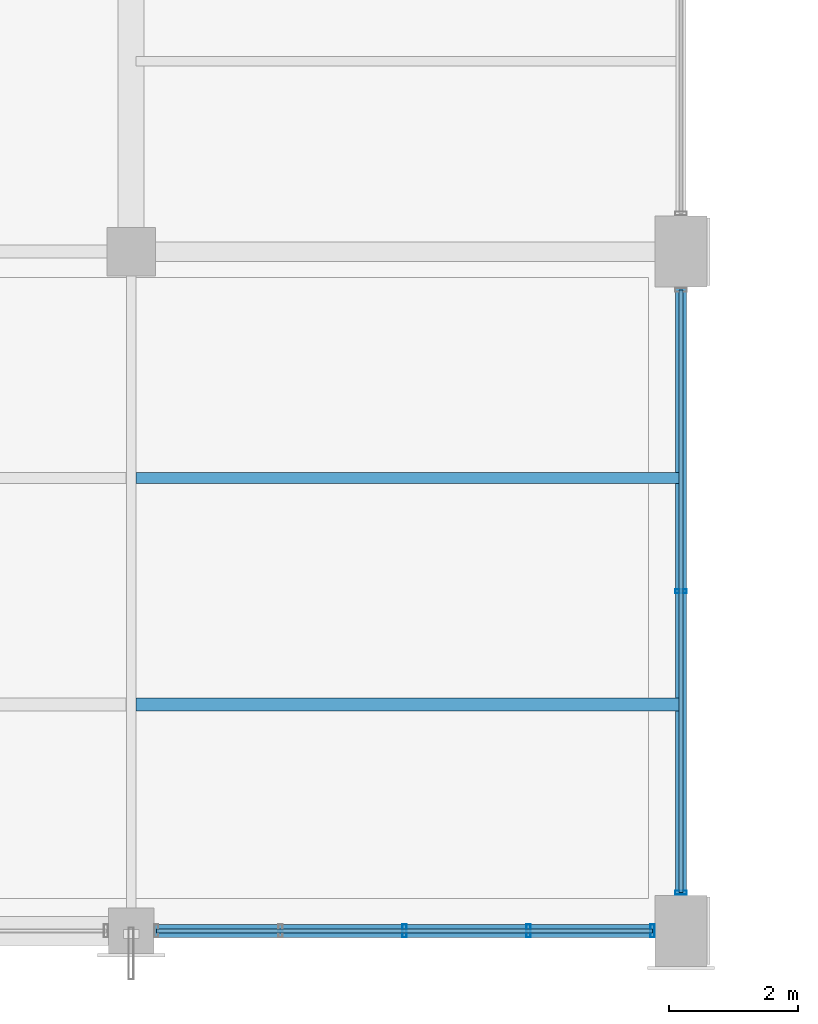
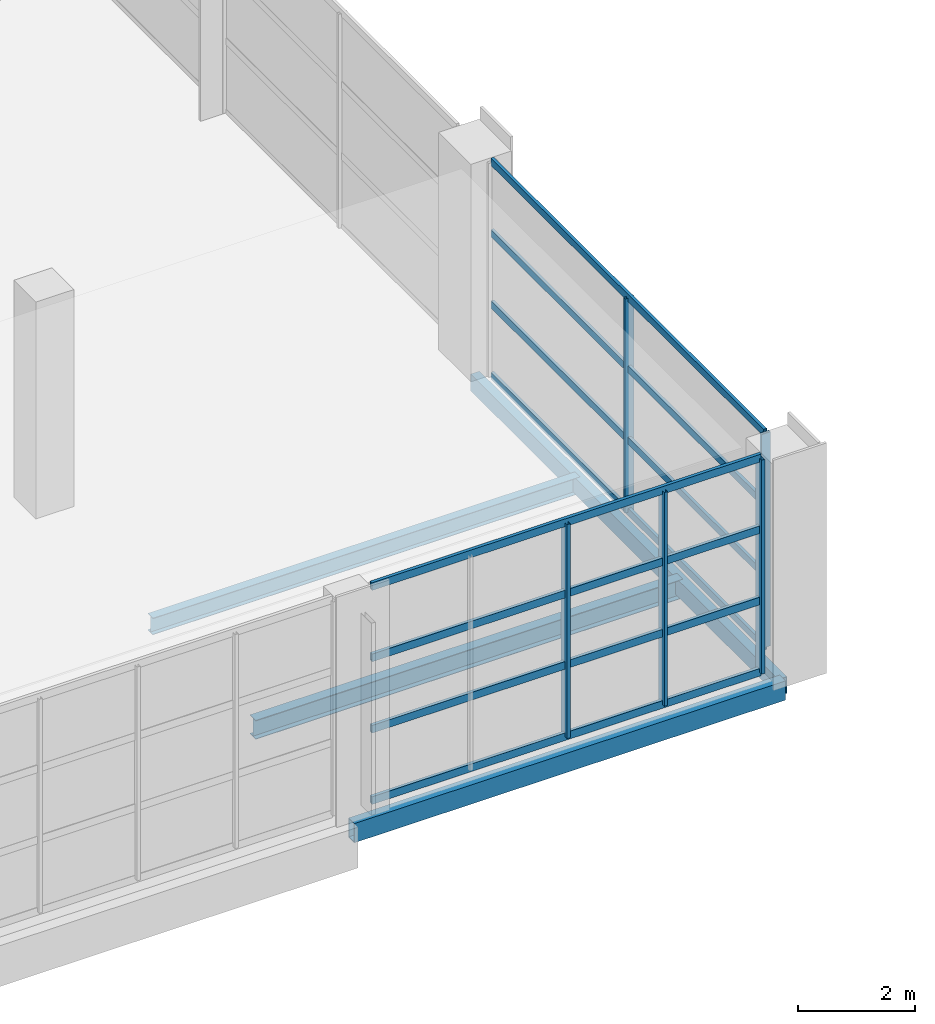
# One storey, part 23 of 101: 13 members, 4 beams, 2 elements without a shape of their own.
"""IFC4 building model written with IfcOpenShell, lengths in metres."""

from ifc_helpers import new_model, si_unit, direction, frame, origin, origin_2d, place, context, subcontext, project, spatial, hollow_rectangle, i_section, extrude, material, material_profile, profile_set, type_object, element, aggregate, save


model = new_model("IFC4")

# Units and contexts
model_context = context("Model", 3, precision=1e-05, world=origin(), true_north=direction((0.0, 1.0)))
body_context = subcontext(model_context, "Body", "Model", "MODEL_VIEW")
ifc_project = project(units=[si_unit("LENGTHUNIT", "METRE"), si_unit("AREAUNIT", "SQUARE_METRE"), si_unit("VOLUMEUNIT", "CUBIC_METRE"), si_unit("PLANEANGLEUNIT", "RADIAN"), si_unit("MASSUNIT", "GRAM", prefix="KILO")], contexts=[model_context])

# Site, building, storey
site_placement = place(None, origin())
site = spatial("IfcSite", under=ifc_project, at=site_placement, CompositionType="ELEMENT")
building_placement = place(site_placement, origin())
building = spatial("IfcBuilding", under=site, at=building_placement, Name="Solvikara Media Centre", CompositionType="ELEMENT")
storey_placement = place(building_placement, frame((0.0, 0.0, 10.199951171875)))
storey = spatial("IfcBuildingStorey", under=building, at=storey_placement, Name="L02", CompositionType="ELEMENT", Elevation=10.199951171875)

# Beams
ifc_material_1 = material(Name="Steel S355JR", Category="steel")
ifc_material_profile_1 = material_profile(ifc_material_1, hollow_rectangle(XDim=0.199951171875, YDim=0.39990234375, WallThickness=0.011962890625, at=origin_2d()), Name="RHS 400x200x12")
ifc_profile_set_1 = profile_set([ifc_material_profile_1], Name="Steel S355JR")
beam_type_1 = type_object("IfcBeamType", Name="BM-33", PredefinedType="SPANDREL", material=ifc_profile_set_1)
beam_1_placement = place(storey_placement, frame((68.0, 0.0, -0.48193359375), z_axis=(1.0, 0.0, 0.0), x_axis=(0.0, 1.0, 0.0)))
element("IfcBeam", 1, at=beam_1_placement, inside=storey, type_object=beam_type_1, Name="B-L02-X0827", PredefinedType="SPANDREL", context=body_context, shape_type="SweptSolid", body=[
    extrude(hollow_rectangle(XDim=0.199951171875, YDim=0.39990234375, WallThickness=0.011962890625, at=origin_2d()), origin(), (0.0, 0.0, 1.0), 8.5),
])
ifc_material_profile_2 = material_profile(ifc_material_1, hollow_rectangle(XDim=0.175048828125, YDim=0.35009765625, WallThickness=0.010009765625, at=origin_2d()), Name="RHS 350x175x10")
ifc_profile_set_2 = profile_set([ifc_material_profile_2], Name="Steel S355JR")
beam_type_2 = type_object("IfcBeamType", Name="BM-34", PredefinedType="SPANDREL", material=ifc_profile_set_2)
beam_2_placement = place(storey_placement, frame((76.5, 0.0, -0.45703125), z_axis=(0.0, 1.0, 0.0), x_axis=(-1.0, 0.0, 0.0)))
element("IfcBeam", 2, at=beam_2_placement, inside=storey, type_object=beam_type_2, Name="B-L02-Y0970", PredefinedType="SPANDREL", context=body_context, shape_type="SweptSolid", body=[
    extrude(hollow_rectangle(XDim=0.175048828125, YDim=0.35009765625, WallThickness=0.010009765625, at=origin_2d()), origin(), (0.0, 0.0, 1.0), 10.5),
])
ifc_material_profile_3 = material_profile(ifc_material_1, i_section(OverallWidth=0.198974609375, OverallDepth=0.39599609375, WebThickness=0.007080078125, FlangeThickness=0.010986328125, at=origin_2d()), Name="WF 396x199x7x11")
ifc_profile_set_3 = profile_set([ifc_material_profile_3], Name="Steel S355JR")
beam_type_3 = type_object("IfcBeamType", Name="BM-37", PredefinedType="JOIST", material=ifc_profile_set_3)
beam_3_placement = place(storey_placement, frame((68.077880859375, 3.5, -0.47998046875), z_axis=(1.0, 0.0, 0.0), x_axis=(0.0, 1.0, 0.0)))
element("IfcBeam", 3, at=beam_3_placement, inside=storey, type_object=beam_type_3, Name="J-L02-1117", PredefinedType="JOIST", context=body_context, shape_type="SweptSolid", body=[
    extrude(i_section(OverallWidth=0.198974609375, OverallDepth=0.39599609375, WebThickness=0.007080078125, FlangeThickness=0.010986328125, at=origin_2d()), origin(), (0.0, 0.0, 1.0), 8.422119140625),
])
ifc_material_profile_4 = material_profile(ifc_material_1, i_section(OverallWidth=0.174072265625, OverallDepth=0.345947265625, WebThickness=0.006103515625, FlangeThickness=0.009033203125, at=origin_2d()), Name="WF 346x174x6x9")
ifc_profile_set_4 = profile_set([ifc_material_profile_4], Name="Steel S355JR")
beam_type_4 = type_object("IfcBeamType", Name="BM-38", PredefinedType="JOIST", material=ifc_profile_set_4)
beam_4_placement = place(storey_placement, frame((68.077880859375, 7.0, -0.454833984375), z_axis=(1.0, 0.0, 0.0), x_axis=(0.0, 1.0, 0.0)))
element("IfcBeam", 4, at=beam_4_placement, inside=storey, type_object=beam_type_4, Name="J-L02-1118", PredefinedType="JOIST", context=body_context, shape_type="SweptSolid", body=[
    extrude(i_section(OverallWidth=0.174072265625, OverallDepth=0.345947265625, WebThickness=0.006103515625, FlangeThickness=0.009033203125, at=origin_2d()), origin(), (0.0, 0.0, 1.0), 8.422119140625),
])

# Curtain wall, members
ifc_material_2 = material(Name="Anodised aluminium EN AW-6063", Category="aluminium")
curtain_wall_type_1 = type_object("IfcCurtainWallType", Name="CW-04", PredefinedType="NOTDEFINED", material=ifc_material_2)
curtain_wall_1_placement = place(storey_placement, origin())
curtain_wall_1 = element("IfcCurtainWall", 5, at=curtain_wall_1_placement, inside=storey, type_object=curtain_wall_type_1, Name="CW-L02-V6S-5", PredefinedType="NOTDEFINED")
ifc_material_profile_5 = material_profile(ifc_material_2, hollow_rectangle(XDim=0.06494140625, YDim=0.199951171875, WallThickness=0.00390625, at=origin_2d()), Name="ALU-M 65x200x4")
ifc_profile_set_5 = profile_set([ifc_material_profile_5], Name="Anodised aluminium EN AW-6063")
member_type_1 = type_object("IfcMemberType", Name="MF-02", PredefinedType="MULLION", material=ifc_profile_set_5)
member_1_placement = place(storey_placement, frame((72.22509765625, 0.0, 0.02001953125), z_axis=(0.0, 0.0, 1.0), x_axis=(1.0, 0.0, 0.0)))
member_1 = element("IfcMember", 6, at=member_1_placement, type_object=member_type_1, Name="CW-L02-V6S-5-M02", PredefinedType="MULLION", context=body_context, shape_type="SweptSolid", body=[
    extrude(hollow_rectangle(XDim=0.06494140625, YDim=0.199951171875, WallThickness=0.00390625, at=origin_2d()), origin(), (0.0, 0.0, 1.0), 4.4599609375),
])
member_2_placement = place(storey_placement, frame((74.14306640625, 0.0, 0.02001953125), z_axis=(0.0, 0.0, 1.0), x_axis=(1.0, 0.0, 0.0)))
member_2 = element("IfcMember", 7, at=member_2_placement, type_object=member_type_1, Name="CW-L02-V6S-5-M03", PredefinedType="MULLION", context=body_context, shape_type="SweptSolid", body=[
    extrude(hollow_rectangle(XDim=0.06494140625, YDim=0.199951171875, WallThickness=0.00390625, at=origin_2d()), origin(), (0.0, 0.0, 1.0), 4.4599609375),
])
member_3_placement = place(storey_placement, frame((76.06005859375, 0.0, 0.02001953125), z_axis=(0.0, 0.0, 1.0), x_axis=(1.0, 0.0, 0.0)))
member_3 = element("IfcMember", 8, at=member_3_placement, type_object=member_type_1, Name="CW-L02-V6S-5-M04", PredefinedType="MULLION", context=body_context, shape_type="SweptSolid", body=[
    extrude(hollow_rectangle(XDim=0.06494140625, YDim=0.199951171875, WallThickness=0.00390625, at=origin_2d()), origin(), (0.0, 0.0, 1.0), 4.4599609375),
])

curtain_wall_type_2 = type_object("IfcCurtainWallType", Name="CW-16", PredefinedType="NOTDEFINED", material=ifc_material_2)
curtain_wall_2_placement = place(storey_placement, origin())
curtain_wall_2 = element("IfcCurtainWall", 9, at=curtain_wall_2_placement, inside=storey, type_object=curtain_wall_type_2, Name="CW-L02-V6E-S1", PredefinedType="NOTDEFINED")
ifc_material_profile_6 = material_profile(ifc_material_2, hollow_rectangle(XDim=0.06005859375, YDim=0.179931640625, WallThickness=0.00341796875, at=origin_2d()), Name="ALU-M 60x180x3.5")
ifc_profile_set_6 = profile_set([ifc_material_profile_6], Name="Anodised aluminium EN AW-6063")
member_type_2 = type_object("IfcMemberType", Name="MF-03", PredefinedType="MULLION", material=ifc_profile_set_6)
member_4_placement = place(storey_placement, frame((76.5, 0.590087890625, 0.02001953125), z_axis=(0.0, 0.0, 1.0), x_axis=(0.0, 1.0, 0.0)))
member_4 = element("IfcMember", 10, at=member_4_placement, type_object=member_type_2, Name="CW-L02-V6E-S1-M00", PredefinedType="MULLION", context=body_context, shape_type="SweptSolid", body=[
    extrude(hollow_rectangle(XDim=0.06005859375, YDim=0.179931640625, WallThickness=0.00341796875, at=origin_2d()), origin(), (0.0, 0.0, 1.0), 4.4599609375),
])
member_5_placement = place(storey_placement, frame((76.5, 5.25, 0.02001953125), z_axis=(0.0, 0.0, 1.0), x_axis=(0.0, 1.0, 0.0)))
member_5 = element("IfcMember", 11, at=member_5_placement, type_object=member_type_2, Name="CW-L02-V6E-S1-M01", PredefinedType="MULLION", context=body_context, shape_type="SweptSolid", body=[
    extrude(hollow_rectangle(XDim=0.06005859375, YDim=0.179931640625, WallThickness=0.00341796875, at=origin_2d()), origin(), (0.0, 0.0, 1.0), 4.4599609375),
])

# Member
ifc_material_profile_7 = material_profile(ifc_material_2, hollow_rectangle(XDim=0.06494140625, YDim=0.159912109375, WallThickness=0.00341796875, at=origin_2d()), Name="ALU-T 65x160x3.5")
ifc_profile_set_7 = profile_set([ifc_material_profile_7], Name="Anodised aluminium EN AW-6063")
member_type_3 = type_object("IfcMemberType", Name="MF-08", PredefinedType="USERDEFINED", material=ifc_profile_set_7)
member_6_placement = place(storey_placement, frame((68.389892578125, 0.0, 0.02001953125), z_axis=(1.0, 0.0, 0.0), x_axis=(0.0, 1.0, 0.0)))
member_6 = element("IfcMember", 12, at=member_6_placement, type_object=member_type_3, Name="CW-L02-V6S-5-T00", ObjectType="TRANSOM", PredefinedType="USERDEFINED", context=body_context, shape_type="SweptSolid", body=[
    extrude(hollow_rectangle(XDim=0.06494140625, YDim=0.159912109375, WallThickness=0.00341796875, at=origin_2d()), origin(), (0.0, 0.0, 1.0), 7.670166015625),
])

member_7_placement = place(storey_placement, frame((68.389892578125, 0.0, 1.507080078125), z_axis=(1.0, 0.0, 0.0), x_axis=(0.0, 1.0, 0.0)))
member_7 = element("IfcMember", 13, at=member_7_placement, type_object=member_type_3, Name="CW-L02-V6S-5-T01", ObjectType="TRANSOM", PredefinedType="USERDEFINED", context=body_context, shape_type="SweptSolid", body=[
    extrude(hollow_rectangle(XDim=0.06494140625, YDim=0.159912109375, WallThickness=0.00341796875, at=origin_2d()), origin(), (0.0, 0.0, 1.0), 7.670166015625),
])

member_8_placement = place(storey_placement, frame((68.389892578125, 0.0, 2.9931640625), z_axis=(1.0, 0.0, 0.0), x_axis=(0.0, 1.0, 0.0)))
member_8 = element("IfcMember", 14, at=member_8_placement, type_object=member_type_3, Name="CW-L02-V6S-5-T02", ObjectType="TRANSOM", PredefinedType="USERDEFINED", context=body_context, shape_type="SweptSolid", body=[
    extrude(hollow_rectangle(XDim=0.06494140625, YDim=0.159912109375, WallThickness=0.00341796875, at=origin_2d()), origin(), (0.0, 0.0, 1.0), 7.670166015625),
])

member_9_placement = place(storey_placement, frame((68.389892578125, 0.0, 4.47998046875), z_axis=(1.0, 0.0, 0.0), x_axis=(0.0, 1.0, 0.0)))
member_9 = element("IfcMember", 15, at=member_9_placement, type_object=member_type_3, Name="CW-L02-V6S-5-T03", ObjectType="TRANSOM", PredefinedType="USERDEFINED", context=body_context, shape_type="SweptSolid", body=[
    extrude(hollow_rectangle(XDim=0.06494140625, YDim=0.159912109375, WallThickness=0.00341796875, at=origin_2d()), origin(), (0.0, 0.0, 1.0), 7.670166015625),
])

aggregate(curtain_wall_1, [member_1, member_2, member_3, member_6, member_7, member_8, member_9])

ifc_material_profile_8 = material_profile(ifc_material_2, hollow_rectangle(XDim=0.06005859375, YDim=0.14990234375, WallThickness=0.0029296875, at=origin_2d()), Name="ALU-T 60x150x3")
ifc_profile_set_8 = profile_set([ifc_material_profile_8], Name="Anodised aluminium EN AW-6063")
member_type_4 = type_object("IfcMemberType", Name="MF-09", PredefinedType="USERDEFINED", material=ifc_profile_set_8)
member_10_placement = place(storey_placement, frame((76.5, 0.590087890625, 0.02001953125), z_axis=(0.0, 1.0, 0.0), x_axis=(-1.0, 0.0, 0.0)))
member_10 = element("IfcMember", 16, at=member_10_placement, type_object=member_type_4, Name="CW-L02-V6E-S1-T00", ObjectType="TRANSOM", PredefinedType="USERDEFINED", context=body_context, shape_type="SweptSolid", body=[
    extrude(hollow_rectangle(XDim=0.06005859375, YDim=0.14990234375, WallThickness=0.0029296875, at=origin_2d()), origin(), (0.0, 0.0, 1.0), 9.31982421875),
])

member_11_placement = place(storey_placement, frame((76.5, 0.590087890625, 1.507080078125), z_axis=(0.0, 1.0, 0.0), x_axis=(-1.0, 0.0, 0.0)))
member_11 = element("IfcMember", 17, at=member_11_placement, type_object=member_type_4, Name="CW-L02-V6E-S1-T01", ObjectType="TRANSOM", PredefinedType="USERDEFINED", context=body_context, shape_type="SweptSolid", body=[
    extrude(hollow_rectangle(XDim=0.06005859375, YDim=0.14990234375, WallThickness=0.0029296875, at=origin_2d()), origin(), (0.0, 0.0, 1.0), 9.31982421875),
])

member_12_placement = place(storey_placement, frame((76.5, 0.590087890625, 2.9931640625), z_axis=(0.0, 1.0, 0.0), x_axis=(-1.0, 0.0, 0.0)))
member_12 = element("IfcMember", 18, at=member_12_placement, type_object=member_type_4, Name="CW-L02-V6E-S1-T02", ObjectType="TRANSOM", PredefinedType="USERDEFINED", context=body_context, shape_type="SweptSolid", body=[
    extrude(hollow_rectangle(XDim=0.06005859375, YDim=0.14990234375, WallThickness=0.0029296875, at=origin_2d()), origin(), (0.0, 0.0, 1.0), 9.31982421875),
])

member_13_placement = place(storey_placement, frame((76.5, 0.590087890625, 4.47998046875), z_axis=(0.0, 1.0, 0.0), x_axis=(-1.0, 0.0, 0.0)))
member_13 = element("IfcMember", 19, at=member_13_placement, type_object=member_type_4, Name="CW-L02-V6E-S1-T03", ObjectType="TRANSOM", PredefinedType="USERDEFINED", context=body_context, shape_type="SweptSolid", body=[
    extrude(hollow_rectangle(XDim=0.06005859375, YDim=0.14990234375, WallThickness=0.0029296875, at=origin_2d()), origin(), (0.0, 0.0, 1.0), 9.31982421875),
])

aggregate(curtain_wall_2, [member_4, member_5, member_10, member_11, member_12, member_13])

save(model, "model.ifc")
